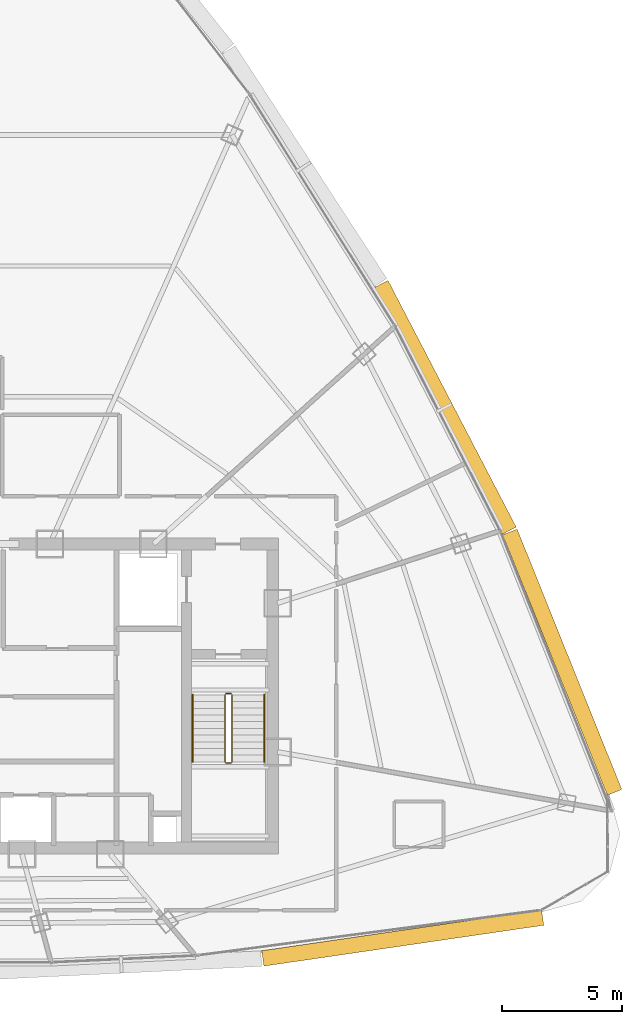
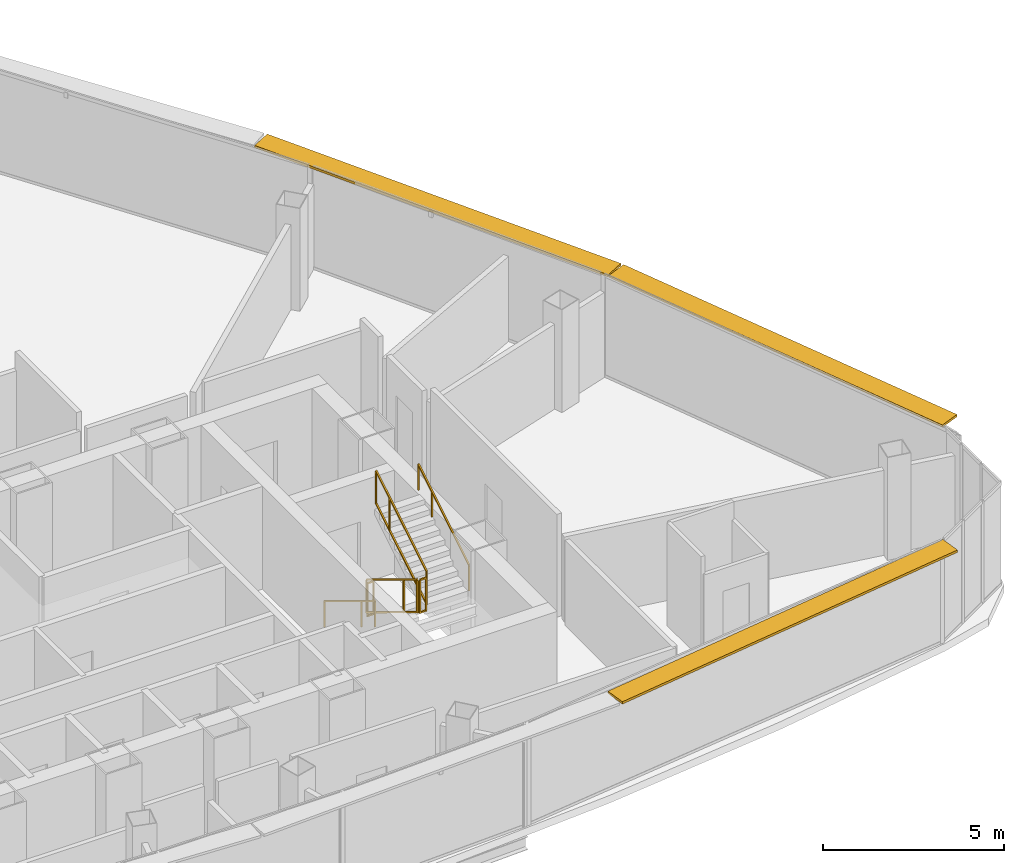
# One storey, part 28 of 29: 6 railings, 3 shading devices.
"""IFC4 building model written with IfcOpenShell, lengths in metres."""

from ifc_helpers import new_model, si_unit, direction, frame, origin, origin_2d, place, context, subcontext, project, spatial, rectangle, extrude, source, transform, mapped, material, layer, layer_set, type_object, element, save


model = new_model("IFC4")

# Units and contexts
model_context = context("Model", 3, precision=1e-05, world=origin(), true_north=direction((0.0, 1.0)))
body_context = subcontext(model_context, "Body", "Model", "MODEL_VIEW")
ifc_project = project(units=[si_unit("LENGTHUNIT", "METRE"), si_unit("AREAUNIT", "SQUARE_METRE"), si_unit("VOLUMEUNIT", "CUBIC_METRE"), si_unit("PLANEANGLEUNIT", "RADIAN"), si_unit("MASSUNIT", "GRAM", prefix="KILO"), si_unit("THERMODYNAMICTEMPERATUREUNIT", "KELVIN"), si_unit("POWERUNIT", "WATT")], contexts=[model_context])

# Site, building, storey
site_placement = place(None, origin())
site = spatial("IfcSite", under=ifc_project, at=site_placement, CompositionType="ELEMENT")
building_placement = place(site_placement, origin())
building = spatial("IfcBuilding", under=site, at=building_placement, Name="Yunzhuo Pagoda Commons", CompositionType="ELEMENT")
storey_placement = place(building_placement, frame((0.0, 0.0, 363.010009765625)))
storey = spatial("IfcBuildingStorey", under=building, at=storey_placement, Name="L91", CompositionType="ELEMENT", Elevation=363.010009765625)

# Railings
ifc_material = material(Name="Anodized aluminium 6063-T6", Category="aluminium")
railing_type_1 = type_object("IfcRailingType", Name="GR-ST2 Stair Well Guardrail 1160", PredefinedType="GUARDRAIL", material=ifc_material)
railing_1_placement = place(storey_placement, frame((58.199951171875, 33.89990234375, 0.17041015625)))
element("IfcRailing", 1, at=railing_1_placement, inside=storey, type_object=railing_type_1, Name="L91 ST2 stair guard 1", PredefinedType="GUARDRAIL", context=body_context, shape_type="SweptSolid", body=[
    extrude(rectangle(XDim=0.048095703125, YDim=0.048095703125, at=origin_2d()), frame((0.0, 0.0, 1.1259765625), z_axis=(0.0, -0.854149651119, 0.520027281489), x_axis=(1.0, 0.0, 0.0)), (0.0, 0.0, 1.0), 3.27783203125),
    extrude(rectangle(XDim=0.048095703125, YDim=0.048095703125, at=origin_2d()), frame((0.0, 0.0, 0.02392578125), z_axis=(0.0, -0.854149651119, 0.520027281489), x_axis=(1.0, 0.0, 0.0)), (0.0, 0.0, 1.0), 3.27783203125),
    extrude(rectangle(XDim=0.0419921875, YDim=0.0419921875, at=origin_2d()), origin(), (0.0, 0.0, 1.0), 1.101806640625),
    extrude(rectangle(XDim=0.0419921875, YDim=0.0419921875, at=origin_2d()), frame((0.0, -2.050048828125, 1.248046875)), (0.0, 0.0, 1.0), 1.101806640625),
    extrude(rectangle(XDim=0.0419921875, YDim=0.0419921875, at=origin_2d()), frame((0.0, -2.7998046875, 1.70458984375)), (0.0, 0.0, 1.0), 1.101806640625),
])
railing_2_placement = place(storey_placement, frame((58.25, 31.050048828125, 1.875)))
element("IfcRailing", 2, at=railing_2_placement, inside=storey, type_object=railing_type_1, Name="L91 ST2 stair guard 2", PredefinedType="GUARDRAIL", context=body_context, shape_type="SweptSolid", body=[
    extrude(rectangle(XDim=0.048095703125, YDim=0.048095703125, at=origin_2d()), frame((0.0, 0.0, 1.1259765625), z_axis=(1.0, 0.0, 0.0), x_axis=(0.0, 1.0, 0.0)), (0.0, 0.0, 1.0), 0.199951171875),
    extrude(rectangle(XDim=0.048095703125, YDim=0.048095703125, at=origin_2d()), frame((0.0, 0.0, 0.02392578125), z_axis=(1.0, 0.0, 0.0), x_axis=(0.0, 1.0, 0.0)), (0.0, 0.0, 1.0), 0.199951171875),
    extrude(rectangle(XDim=0.0419921875, YDim=0.0419921875, at=origin_2d()), origin(), (0.0, 0.0, 1.0), 1.101806640625),
    extrude(rectangle(XDim=0.0419921875, YDim=0.0419921875, at=origin_2d()), frame((0.199951171875, 0.0, 0.0)), (0.0, 0.0, 1.0), 1.101806640625),
])
railing_3_placement = place(storey_placement, frame((58.5, 31.10009765625, 2.04541015625)))
element("IfcRailing", 3, at=railing_3_placement, inside=storey, type_object=railing_type_1, Name="L91 ST2 stair guard 3", PredefinedType="GUARDRAIL", context=body_context, shape_type="SweptSolid", body=[
    extrude(rectangle(XDim=0.048095703125, YDim=0.048095703125, at=origin_2d()), frame((0.0, 0.0, 1.1259765625), z_axis=(0.0, 0.854149651119, 0.520027281489), x_axis=(-1.0, 0.0, 0.0)), (0.0, 0.0, 1.0), 3.27783203125),
    extrude(rectangle(XDim=0.048095703125, YDim=0.048095703125, at=origin_2d()), frame((0.0, 0.0, 0.02392578125), z_axis=(0.0, 0.854149651119, 0.520027281489), x_axis=(-1.0, 0.0, 0.0)), (0.0, 0.0, 1.0), 3.27783203125),
    extrude(rectangle(XDim=0.0419921875, YDim=0.0419921875, at=origin_2d()), origin(), (0.0, 0.0, 1.0), 1.101806640625),
    extrude(rectangle(XDim=0.0419921875, YDim=0.0419921875, at=origin_2d()), frame((0.0, 2.050048828125, 1.248046875)), (0.0, 0.0, 1.0), 1.101806640625),
    extrude(rectangle(XDim=0.0419921875, YDim=0.0419921875, at=origin_2d()), frame((0.0, 2.7998046875, 1.70458984375)), (0.0, 0.0, 1.0), 1.101806640625),
])
railing_4_placement = place(storey_placement, frame((58.25, 33.949951171875, 0.0)))
element("IfcRailing", 4, at=railing_4_placement, inside=storey, type_object=railing_type_1, Name="L91 ST2 stair guard 4", PredefinedType="GUARDRAIL", context=body_context, shape_type="SweptSolid", body=[
    extrude(rectangle(XDim=0.048095703125, YDim=0.048095703125, at=origin_2d()), frame((0.0, 0.0, 1.1259765625), z_axis=(1.0, 0.0, 0.0), x_axis=(0.0, 1.0, 0.0)), (0.0, 0.0, 1.0), 0.199951171875),
    extrude(rectangle(XDim=0.048095703125, YDim=0.048095703125, at=origin_2d()), frame((0.0, 0.0, 0.02392578125), z_axis=(1.0, 0.0, 0.0), x_axis=(0.0, 1.0, 0.0)), (0.0, 0.0, 1.0), 0.199951171875),
    extrude(rectangle(XDim=0.0419921875, YDim=0.0419921875, at=origin_2d()), origin(), (0.0, 0.0, 1.0), 1.101806640625),
    extrude(rectangle(XDim=0.0419921875, YDim=0.0419921875, at=origin_2d()), frame((0.199951171875, 0.0, 0.0)), (0.0, 0.0, 1.0), 1.101806640625),
])
railing_type_2 = type_object("IfcRailingType", Name="HR-ST2 Stair Handrail 900", PredefinedType="HANDRAIL", material=ifc_material)
railing_5_placement = place(storey_placement, frame((56.85009765625, 33.89990234375, 0.17041015625)))
element("IfcRailing", 5, at=railing_5_placement, inside=storey, type_object=railing_type_2, Name="L91 ST2 stair handrail 1", PredefinedType="HANDRAIL", context=body_context, shape_type="SweptSolid", body=[
    extrude(rectangle(XDim=0.048095703125, YDim=0.048095703125, at=origin_2d()), frame((0.0, 0.0, 0.8759765625), z_axis=(0.0, -0.854149651119, 0.520027281489), x_axis=(1.0, 0.0, 0.0)), (0.0, 0.0, 1.0), 3.27783203125),
    extrude(rectangle(XDim=0.0419921875, YDim=0.0419921875, at=origin_2d()), origin(), (0.0, 0.0, 1.0), 0.851806640625),
    extrude(rectangle(XDim=0.0419921875, YDim=0.0419921875, at=origin_2d()), frame((0.0, -2.050048828125, 1.248046875)), (0.0, 0.0, 1.0), 0.851806640625),
    extrude(rectangle(XDim=0.0419921875, YDim=0.0419921875, at=origin_2d()), frame((0.0, -2.7998046875, 1.70458984375)), (0.0, 0.0, 1.0), 0.851806640625),
])
railing_6_placement = place(storey_placement, frame((59.85009765625, 31.10009765625, 2.04541015625)))
element("IfcRailing", 6, at=railing_6_placement, inside=storey, type_object=railing_type_2, Name="L91 ST2 stair handrail 2", PredefinedType="HANDRAIL", context=body_context, shape_type="SweptSolid", body=[
    extrude(rectangle(XDim=0.048095703125, YDim=0.048095703125, at=origin_2d()), frame((0.0, 0.0, 0.8759765625), z_axis=(0.0, 0.854149651119, 0.520027281489), x_axis=(-1.0, 0.0, 0.0)), (0.0, 0.0, 1.0), 3.27783203125),
    extrude(rectangle(XDim=0.0419921875, YDim=0.0419921875, at=origin_2d()), origin(), (0.0, 0.0, 1.0), 0.851806640625),
    extrude(rectangle(XDim=0.0419921875, YDim=0.0419921875, at=origin_2d()), frame((0.0, 2.050048828125, 1.248046875)), (0.0, 0.0, 1.0), 0.851806640625),
    extrude(rectangle(XDim=0.0419921875, YDim=0.0419921875, at=origin_2d()), frame((0.0, 2.7998046875, 1.70458984375)), (0.0, 0.0, 1.0), 0.851806640625),
])

# Shading devices
ifc_layer = layer(ifc_material, 0.080078125)
ifc_layer_set = layer_set([ifc_layer], Name="Anodized aluminium 6063-T6")
shading_device_type = type_object("IfcShadingDeviceType", Name="SH-SUN1 Pagoda Horizontal Sunshade Eave 650", PredefinedType="USERDEFINED", material=ifc_layer_set)
shared_shape_1 = source(origin(), body_context, "Body", "SweptSolid", [
    extrude(rectangle(XDim=11.81396484375, YDim=0.64990234375, at=origin_2d()), origin(), (0.0, 0.0, 1.0), 0.080078125),
])
shading_device_1_placement = place(storey_placement, frame((65.62939453125, 23.743896484375, 3.389892578125), z_axis=(0.0, 0.0, 1.0), x_axis=(0.989510666697, 0.144459823108, 0.0)))
element("IfcShadingDevice", 7, at=shading_device_1_placement, inside=storey, type_object=shading_device_type, Name="L91 horizontal pagoda sunshade eave F1.4", ObjectType="SUNSHADE", PredefinedType="USERDEFINED", context=body_context, shape_type="MappedRepresentation", body=[
    mapped(shared_shape_1, transform((0.0, 0.0, 0.0), scale=1.0)),
])
shared_shape_2 = source(origin(), body_context, "Body", "SweptSolid", [
    extrude(rectangle(XDim=11.718994140625, YDim=0.64990234375, at=origin_2d()), origin(), (0.0, 0.0, 1.0), 0.080078125),
])
shading_device_2_placement = place(storey_placement, frame((72.291259765625, 35.262451171875, 3.389892578125), z_axis=(0.0, 0.0, 1.0), x_axis=(-0.372987782576, 0.927836253899, 0.0)))
element("IfcShadingDevice", 8, at=shading_device_2_placement, inside=storey, type_object=shading_device_type, Name="L91 horizontal pagoda sunshade eave F2.1", ObjectType="SUNSHADE", PredefinedType="USERDEFINED", context=body_context, shape_type="MappedRepresentation", body=[
    mapped(shared_shape_2, transform((0.0, 0.0, 0.0), scale=1.0)),
])
shared_shape_3 = source(origin(), body_context, "Body", "SweptSolid", [
    extrude(rectangle(XDim=11.607666015625, YDim=0.64990234375, at=origin_2d()), origin(), (0.0, 0.0, 1.0), 0.080078125),
])
shading_device_3_placement = place(storey_placement, frame((67.402587890625, 45.90625, 3.389892578125), z_axis=(0.0, 0.0, 1.0), x_axis=(-0.461206683033, 0.88729273384, 0.0)))
element("IfcShadingDevice", 9, at=shading_device_3_placement, inside=storey, type_object=shading_device_type, Name="L91 horizontal pagoda sunshade eave F2.2", ObjectType="SUNSHADE", PredefinedType="USERDEFINED", context=body_context, shape_type="MappedRepresentation", body=[
    mapped(shared_shape_3, transform((0.0, 0.0, 0.0), scale=1.0)),
])

save(model, "model.ifc")
